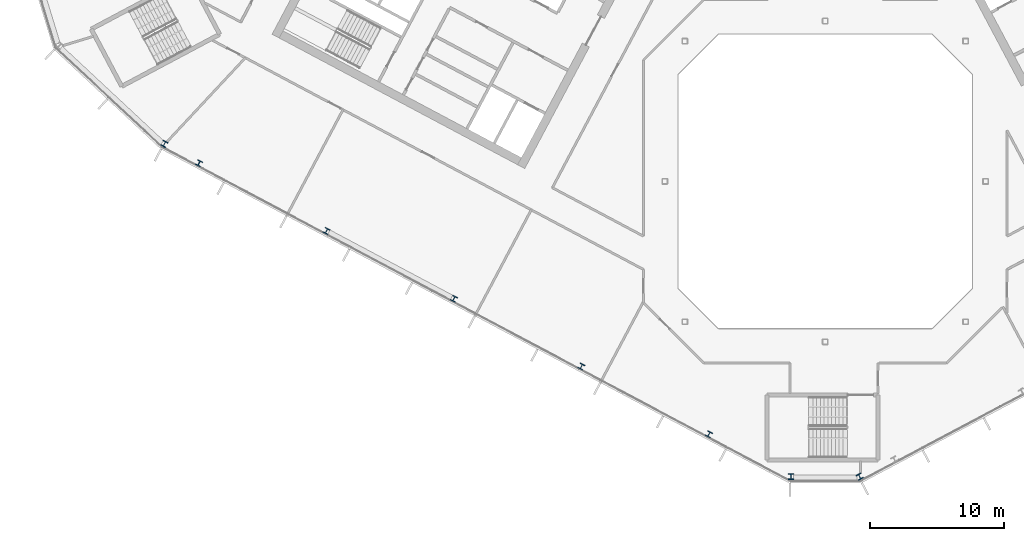
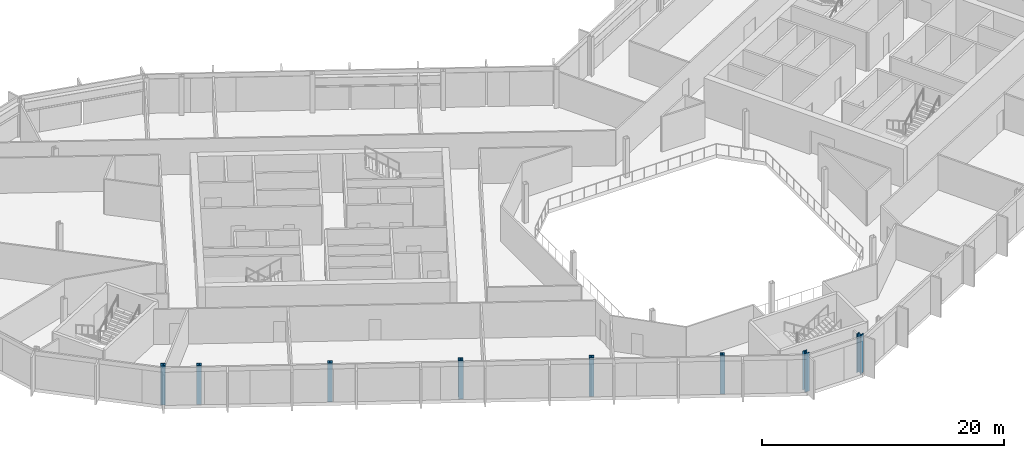
# One storey, part 1 of 27: 8 columns.
"""IFC4 building model written with IfcOpenShell, lengths in metres."""

from ifc_helpers import new_model, si_unit, direction, frame, origin, origin_2d, place, context, subcontext, project, spatial, i_section, extrude, material, material_profile, profile_set, type_object, element, save


model = new_model("IFC4")

# Units and contexts
model_context = context("Model", 3, precision=1e-05, world=origin(), true_north=direction((0.0, 1.0)))
body_context = subcontext(model_context, "Body", "Model", "MODEL_VIEW")
ifc_project = project(units=[si_unit("LENGTHUNIT", "METRE"), si_unit("AREAUNIT", "SQUARE_METRE"), si_unit("VOLUMEUNIT", "CUBIC_METRE"), si_unit("PLANEANGLEUNIT", "RADIAN"), si_unit("MASSUNIT", "GRAM", prefix="KILO")], contexts=[model_context])

# Site, building, storey
site_placement = place(None, origin())
site = spatial("IfcSite", under=ifc_project, at=site_placement, CompositionType="ELEMENT")
building_placement = place(site_placement, origin())
building = spatial("IfcBuilding", under=site, at=building_placement, Name="Cormorant Relay Tower", CompositionType="ELEMENT")
storey_placement = place(building_placement, frame((0.0, 0.0, 224.699951171875)))
storey = spatial("IfcBuildingStorey", under=building, at=storey_placement, Name="L49", CompositionType="ELEMENT", Elevation=224.699951171875)

# Columns
ifc_material_1 = material(Name="Steel ASTM A992 (Fy 345 MPa)", Category="steel")
ifc_material_profile_1 = material_profile(ifc_material_1, i_section(OverallWidth=0.40380859375, OverallDepth=0.406494140625, WebThickness=0.027099609375, FlangeThickness=0.043701171875, FilletRadius=0.01513671875, at=origin_2d()), Name="W360x347")
ifc_profile_set_1 = profile_set([ifc_material_profile_1], Name="Steel ASTM A992 (Fy 345 MPa)")
column_type_1 = type_object("IfcColumnType", Name="Column W360x347", PredefinedType="COLUMN", material=ifc_profile_set_1)
for number, where, z_axis, x_axis, name in (
    (1, (-8.700927734375, -18.919921875, 0.0), (0.0, 0.0, 1.0), (0.882947592859, -0.469471562786, 0.0), "Column L49-004"),
    (2, (-18.237060546875, -13.85009765625, 0.0), (0.0, 0.0, 1.0), (0.882947592859, -0.469471562786, 0.0), "Column L49-006"),
    (3, (-27.77197265625, -8.779052734375, 0.0), (0.0, 0.0, 1.0), (0.882947592859, -0.469471562786, 0.0), "Column L49-011"),
    (4, (-37.30810546875, -3.708984375, 0.0), (0.0, 0.0, 1.0), (0.882947592859, -0.469471562786, 0.0), "Column L49-013"),
    (5, (-46.843994140625, 1.361083984375, 0.0), (0.0, 0.0, 1.0), (0.882947592859, -0.469471562786, 0.0), "Column L49-017"),
):
    element("IfcColumn", number, at=place(storey_placement, frame(where, z_axis=z_axis, x_axis=x_axis)), inside=storey, type_object=column_type_1, Name=name, PredefinedType="COLUMN", context=body_context, shape_type="SweptSolid", body=[
        extrude(i_section(OverallWidth=0.40380859375, OverallDepth=0.406494140625, WebThickness=0.027099609375, FlangeThickness=0.043701171875, FilletRadius=0.01513671875, at=origin_2d()), origin(), (0.0, 0.0, 1.0), 3.900146484375),
    ])
ifc_material_2 = material(Name="Steel ASTM A992 (Fy 345 MPa)", Category="steel")
ifc_material_profile_2 = material_profile(ifc_material_2, i_section(OverallWidth=0.41162109375, OverallDepth=0.434326171875, WebThickness=0.035888671875, FlangeThickness=0.057373046875, FilletRadius=0.01513671875, at=origin_2d()), Name="W360x463")
ifc_profile_set_2 = profile_set([ifc_material_profile_2], Name="Steel ASTM A992 (Fy 345 MPa)")
column_type_2 = type_object("IfcColumnType", Name="Column W360x463", PredefinedType="COLUMN", material=ifc_profile_set_2)
for number, where, z_axis, x_axis, name in (
    (6, (-2.575927734375, -22.083984375, 0.0), (0.0, 0.0, 1.0), (1.0, 0.0, 0.0), "Column L49-001"),
    (7, (2.575927734375, -22.083984375, 0.0), (0.0, 0.0, 1.0), (0.882947592859, 0.469471562786, 0.0), "Column L49-002"),
    (8, (-49.43505859375, 2.803955078125, 0.0), (0.0, 0.0, 1.0), (0.882947592859, -0.469471562786, 0.0), "Column L49-018"),
):
    element("IfcColumn", number, at=place(storey_placement, frame(where, z_axis=z_axis, x_axis=x_axis)), inside=storey, type_object=column_type_2, Name=name, PredefinedType="COLUMN", context=body_context, shape_type="SweptSolid", body=[
        extrude(i_section(OverallWidth=0.41162109375, OverallDepth=0.434326171875, WebThickness=0.035888671875, FlangeThickness=0.057373046875, FilletRadius=0.01513671875, at=origin_2d()), origin(), (0.0, 0.0, 1.0), 3.900146484375),
    ])

save(model, "model.ifc")
